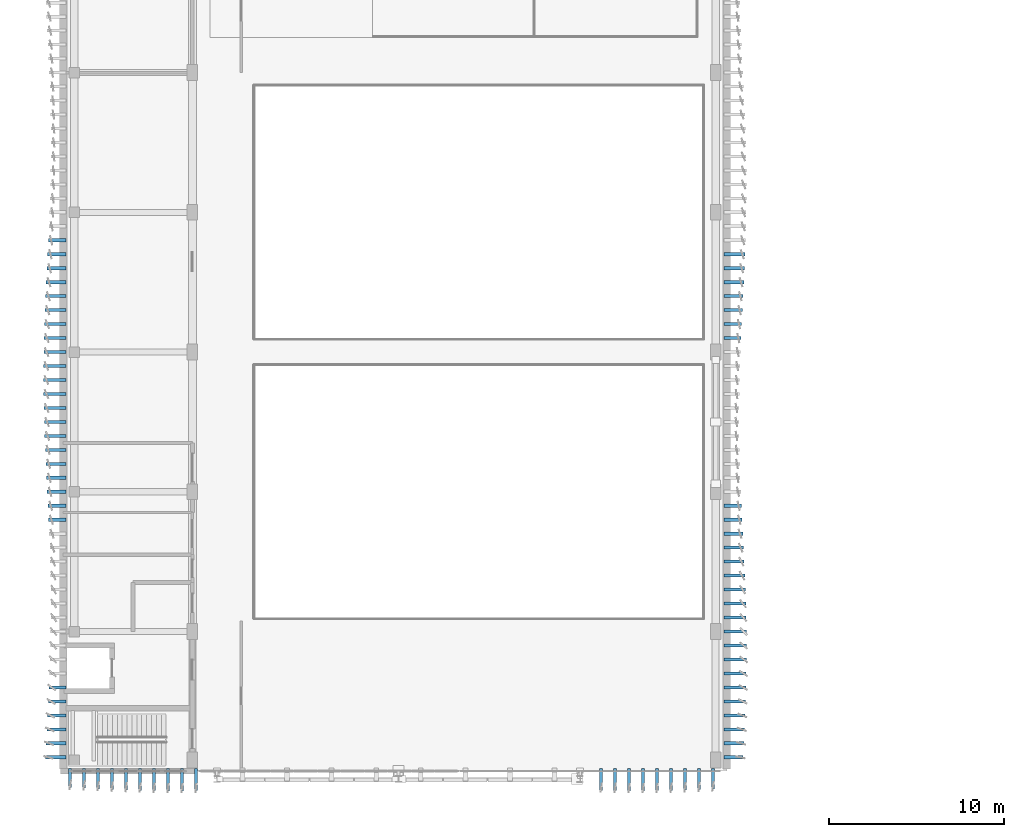
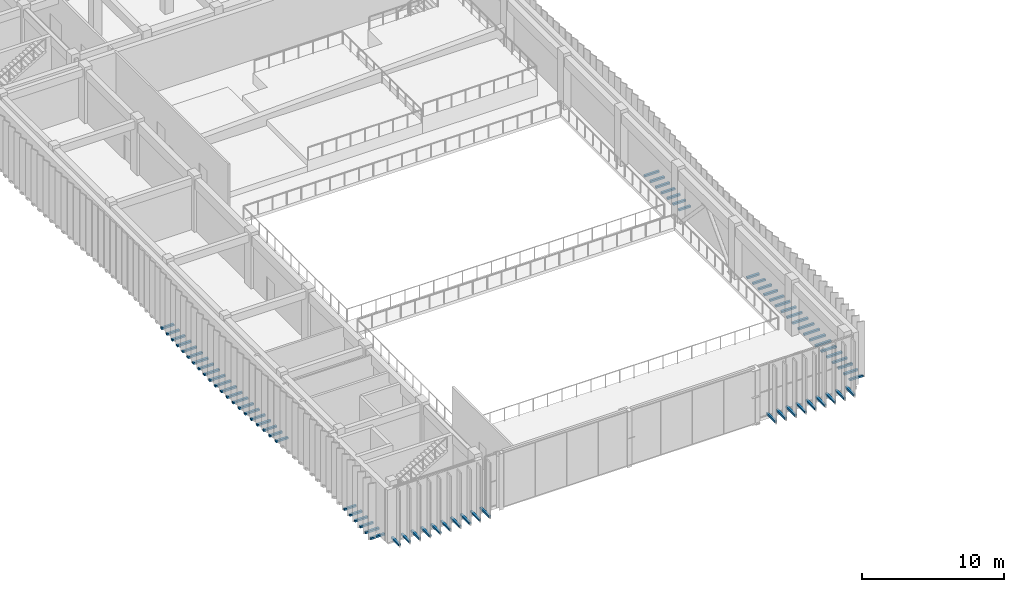
# One storey, part 47 of 64: 72 discrete accessories.
"""IFC4 building model written with IfcOpenShell, lengths in metres."""

from ifc_helpers import new_model, si_unit, direction, frame, origin, origin_2d, place, context, subcontext, project, spatial, rectangle, extrude, material, type_object, element, save


model = new_model("IFC4")

# Units and contexts
model_context = context("Model", 3, precision=1e-05, world=origin(), true_north=direction((0.0, 1.0)))
body_context = subcontext(model_context, "Body", "Model", "MODEL_VIEW")
ifc_project = project(units=[si_unit("LENGTHUNIT", "METRE"), si_unit("AREAUNIT", "SQUARE_METRE"), si_unit("VOLUMEUNIT", "CUBIC_METRE"), si_unit("PLANEANGLEUNIT", "RADIAN"), si_unit("MASSUNIT", "GRAM", prefix="KILO")], contexts=[model_context])

# Site, building, storey
site_placement = place(None, origin())
site = spatial("IfcSite", under=ifc_project, at=site_placement, CompositionType="ELEMENT")
building_placement = place(site_placement, origin())
building = spatial("IfcBuilding", under=site, at=building_placement, Name="Cinchona Park Media Centre", CompositionType="ELEMENT")
storey_placement = place(building_placement, frame((0.0, 0.0, 5.39990234375)))
storey = spatial("IfcBuildingStorey", under=building, at=storey_placement, Name="L01", CompositionType="ELEMENT", Elevation=5.39990234375)

# Discrete accessories
ifc_material = material(Name="Steel S355", Category="steel")
discrete_accessory_type = type_object("IfcDiscreteAccessoryType", Name="BRACKET-BRK01", PredefinedType="BRACKET", material=ifc_material)
discrete_accessory_1_placement = place(storey_placement, frame((7.655029296875, 38.0, 0.0400390625), z_axis=(0.0, 0.0, 1.0), x_axis=(0.0, -1.0, 0.0)))
element("IfcDiscreteAccessory", 1, at=discrete_accessory_1_placement, inside=storey, type_object=discrete_accessory_type, Name="Facade Fin Outrigger Bracket L01", PredefinedType="BRACKET", context=body_context, shape_type="SweptSolid", body=[
    extrude(rectangle(XDim=0.179931640625, YDim=1.010986328125, at=origin_2d()), origin(), (0.0, 0.0, 1.0), 0.159912109375),
])
discrete_accessory_2_placement = place(storey_placement, frame((7.635009765625, 37.199951171875, 0.0400390625), z_axis=(0.0, 0.0, 1.0), x_axis=(0.0, -1.0, 0.0)))
element("IfcDiscreteAccessory", 2, at=discrete_accessory_2_placement, inside=storey, type_object=discrete_accessory_type, Name="Facade Fin Outrigger Bracket L01", PredefinedType="BRACKET", context=body_context, shape_type="SweptSolid", body=[
    extrude(rectangle(XDim=0.179931640625, YDim=1.050048828125, at=origin_2d()), origin(), (0.0, 0.0, 1.0), 0.159912109375),
])
discrete_accessory_3_placement = place(storey_placement, frame((7.614990234375, 36.39990234375, 0.0400390625), z_axis=(0.0, 0.0, 1.0), x_axis=(0.0, -1.0, 0.0)))
element("IfcDiscreteAccessory", 3, at=discrete_accessory_3_placement, inside=storey, type_object=discrete_accessory_type, Name="Facade Fin Outrigger Bracket L01", PredefinedType="BRACKET", context=body_context, shape_type="SweptSolid", body=[
    extrude(rectangle(XDim=0.179931640625, YDim=1.090087890625, at=origin_2d()), origin(), (0.0, 0.0, 1.0), 0.159912109375),
])
discrete_accessory_4_placement = place(storey_placement, frame((7.594970703125, 35.60009765625, 0.0400390625), z_axis=(0.0, 0.0, 1.0), x_axis=(0.0, -1.0, 0.0)))
element("IfcDiscreteAccessory", 4, at=discrete_accessory_4_placement, inside=storey, type_object=discrete_accessory_type, Name="Facade Fin Outrigger Bracket L01", PredefinedType="BRACKET", context=body_context, shape_type="SweptSolid", body=[
    extrude(rectangle(XDim=0.179931640625, YDim=1.12890625, at=origin_2d()), origin(), (0.0, 0.0, 1.0), 0.159912109375),
])
discrete_accessory_5_placement = place(storey_placement, frame((7.576904296875, 34.800048828125, 0.0400390625), z_axis=(0.0, 0.0, 1.0), x_axis=(0.0, -1.0, 0.0)))
element("IfcDiscreteAccessory", 5, at=discrete_accessory_5_placement, inside=storey, type_object=discrete_accessory_type, Name="Facade Fin Outrigger Bracket L01", PredefinedType="BRACKET", context=body_context, shape_type="SweptSolid", body=[
    extrude(rectangle(XDim=0.179931640625, YDim=1.166015625, at=origin_2d()), origin(), (0.0, 0.0, 1.0), 0.159912109375),
])
discrete_accessory_6_placement = place(storey_placement, frame((7.56005859375, 34.0, 0.0400390625), z_axis=(0.0, 0.0, 1.0), x_axis=(0.0, -1.0, 0.0)))
element("IfcDiscreteAccessory", 6, at=discrete_accessory_6_placement, inside=storey, type_object=discrete_accessory_type, Name="Facade Fin Outrigger Bracket L01", PredefinedType="BRACKET", context=body_context, shape_type="SweptSolid", body=[
    extrude(rectangle(XDim=0.179931640625, YDim=1.199951171875, at=origin_2d()), origin(), (0.0, 0.0, 1.0), 0.159912109375),
])
discrete_accessory_7_placement = place(storey_placement, frame((7.5458984375, 33.199951171875, 0.0400390625), z_axis=(0.0, 0.0, 1.0), x_axis=(0.0, -1.0, 0.0)))
element("IfcDiscreteAccessory", 7, at=discrete_accessory_7_placement, inside=storey, type_object=discrete_accessory_type, Name="Facade Fin Outrigger Bracket L01", PredefinedType="BRACKET", context=body_context, shape_type="SweptSolid", body=[
    extrude(rectangle(XDim=0.179931640625, YDim=1.22900390625, at=origin_2d()), origin(), (0.0, 0.0, 1.0), 0.159912109375),
])
discrete_accessory_8_placement = place(storey_placement, frame((7.533935546875, 32.39990234375, 0.0400390625), z_axis=(0.0, 0.0, 1.0), x_axis=(0.0, -1.0, 0.0)))
element("IfcDiscreteAccessory", 8, at=discrete_accessory_8_placement, inside=storey, type_object=discrete_accessory_type, Name="Facade Fin Outrigger Bracket L01", PredefinedType="BRACKET", context=body_context, shape_type="SweptSolid", body=[
    extrude(rectangle(XDim=0.179931640625, YDim=1.251953125, at=origin_2d()), origin(), (0.0, 0.0, 1.0), 0.159912109375),
])
discrete_accessory_9_placement = place(storey_placement, frame((7.52587890625, 31.60009765625, 0.0400390625), z_axis=(0.0, 0.0, 1.0), x_axis=(0.0, -1.0, 0.0)))
element("IfcDiscreteAccessory", 9, at=discrete_accessory_9_placement, inside=storey, type_object=discrete_accessory_type, Name="Facade Fin Outrigger Bracket L01", PredefinedType="BRACKET", context=body_context, shape_type="SweptSolid", body=[
    extrude(rectangle(XDim=0.179931640625, YDim=1.26806640625, at=origin_2d()), origin(), (0.0, 0.0, 1.0), 0.159912109375),
])
discrete_accessory_10_placement = place(storey_placement, frame((7.52099609375, 30.800048828125, 0.0400390625), z_axis=(0.0, 0.0, 1.0), x_axis=(0.0, -1.0, 0.0)))
element("IfcDiscreteAccessory", 10, at=discrete_accessory_10_placement, inside=storey, type_object=discrete_accessory_type, Name="Facade Fin Outrigger Bracket L01", PredefinedType="BRACKET", context=body_context, shape_type="SweptSolid", body=[
    extrude(rectangle(XDim=0.179931640625, YDim=1.278076171875, at=origin_2d()), origin(), (0.0, 0.0, 1.0), 0.159912109375),
])
discrete_accessory_11_placement = place(storey_placement, frame((7.52001953125, 30.0, 0.0400390625), z_axis=(0.0, 0.0, 1.0), x_axis=(0.0, -1.0, 0.0)))
element("IfcDiscreteAccessory", 11, at=discrete_accessory_11_placement, inside=storey, type_object=discrete_accessory_type, Name="Facade Fin Outrigger Bracket L01", PredefinedType="BRACKET", context=body_context, shape_type="SweptSolid", body=[
    extrude(rectangle(XDim=0.179931640625, YDim=1.280029296875, at=origin_2d()), origin(), (0.0, 0.0, 1.0), 0.159912109375),
])
discrete_accessory_12_placement = place(storey_placement, frame((7.52294921875, 29.199951171875, 0.0400390625), z_axis=(0.0, 0.0, 1.0), x_axis=(0.0, -1.0, 0.0)))
element("IfcDiscreteAccessory", 12, at=discrete_accessory_12_placement, inside=storey, type_object=discrete_accessory_type, Name="Facade Fin Outrigger Bracket L01", PredefinedType="BRACKET", context=body_context, shape_type="SweptSolid", body=[
    extrude(rectangle(XDim=0.179931640625, YDim=1.27392578125, at=origin_2d()), origin(), (0.0, 0.0, 1.0), 0.159912109375),
])
discrete_accessory_13_placement = place(storey_placement, frame((7.529052734375, 28.39990234375, 0.0400390625), z_axis=(0.0, 0.0, 1.0), x_axis=(0.0, -1.0, 0.0)))
element("IfcDiscreteAccessory", 13, at=discrete_accessory_13_placement, inside=storey, type_object=discrete_accessory_type, Name="Facade Fin Outrigger Bracket L01", PredefinedType="BRACKET", context=body_context, shape_type="SweptSolid", body=[
    extrude(rectangle(XDim=0.179931640625, YDim=1.260986328125, at=origin_2d()), origin(), (0.0, 0.0, 1.0), 0.159912109375),
])
discrete_accessory_14_placement = place(storey_placement, frame((7.5390625, 27.60009765625, 0.0400390625), z_axis=(0.0, 0.0, 1.0), x_axis=(0.0, -1.0, 0.0)))
element("IfcDiscreteAccessory", 14, at=discrete_accessory_14_placement, inside=storey, type_object=discrete_accessory_type, Name="Facade Fin Outrigger Bracket L01", PredefinedType="BRACKET", context=body_context, shape_type="SweptSolid", body=[
    extrude(rectangle(XDim=0.179931640625, YDim=1.240966796875, at=origin_2d()), origin(), (0.0, 0.0, 1.0), 0.159912109375),
])
discrete_accessory_15_placement = place(storey_placement, frame((7.552978515625, 26.800048828125, 0.0400390625), z_axis=(0.0, 0.0, 1.0), x_axis=(0.0, -1.0, 0.0)))
element("IfcDiscreteAccessory", 15, at=discrete_accessory_15_placement, inside=storey, type_object=discrete_accessory_type, Name="Facade Fin Outrigger Bracket L01", PredefinedType="BRACKET", context=body_context, shape_type="SweptSolid", body=[
    extrude(rectangle(XDim=0.179931640625, YDim=1.215087890625, at=origin_2d()), origin(), (0.0, 0.0, 1.0), 0.159912109375),
])
discrete_accessory_16_placement = place(storey_placement, frame((7.568115234375, 26.0, 0.0400390625), z_axis=(0.0, 0.0, 1.0), x_axis=(0.0, -1.0, 0.0)))
element("IfcDiscreteAccessory", 16, at=discrete_accessory_16_placement, inside=storey, type_object=discrete_accessory_type, Name="Facade Fin Outrigger Bracket L01", PredefinedType="BRACKET", context=body_context, shape_type="SweptSolid", body=[
    extrude(rectangle(XDim=0.179931640625, YDim=1.18408203125, at=origin_2d()), origin(), (0.0, 0.0, 1.0), 0.159912109375),
])
discrete_accessory_17_placement = place(storey_placement, frame((7.5859375, 25.199951171875, 0.0400390625), z_axis=(0.0, 0.0, 1.0), x_axis=(0.0, -1.0, 0.0)))
element("IfcDiscreteAccessory", 17, at=discrete_accessory_17_placement, inside=storey, type_object=discrete_accessory_type, Name="Facade Fin Outrigger Bracket L01", PredefinedType="BRACKET", context=body_context, shape_type="SweptSolid", body=[
    extrude(rectangle(XDim=0.179931640625, YDim=1.14794921875, at=origin_2d()), origin(), (0.0, 0.0, 1.0), 0.159912109375),
])
discrete_accessory_18_placement = place(storey_placement, frame((7.60498046875, 24.39990234375, 0.0400390625), z_axis=(0.0, 0.0, 1.0), x_axis=(0.0, -1.0, 0.0)))
element("IfcDiscreteAccessory", 18, at=discrete_accessory_18_placement, inside=storey, type_object=discrete_accessory_type, Name="Facade Fin Outrigger Bracket L01", PredefinedType="BRACKET", context=body_context, shape_type="SweptSolid", body=[
    extrude(rectangle(XDim=0.179931640625, YDim=1.110107421875, at=origin_2d()), origin(), (0.0, 0.0, 1.0), 0.159912109375),
])
discrete_accessory_19_placement = place(storey_placement, frame((7.625, 23.60009765625, 0.0400390625), z_axis=(0.0, 0.0, 1.0), x_axis=(0.0, -1.0, 0.0)))
element("IfcDiscreteAccessory", 19, at=discrete_accessory_19_placement, inside=storey, type_object=discrete_accessory_type, Name="Facade Fin Outrigger Bracket L01", PredefinedType="BRACKET", context=body_context, shape_type="SweptSolid", body=[
    extrude(rectangle(XDim=0.179931640625, YDim=1.070068359375, at=origin_2d()), origin(), (0.0, 0.0, 1.0), 0.159912109375),
])
discrete_accessory_20_placement = place(storey_placement, frame((7.64501953125, 22.800048828125, 0.0400390625), z_axis=(0.0, 0.0, 1.0), x_axis=(0.0, -1.0, 0.0)))
element("IfcDiscreteAccessory", 20, at=discrete_accessory_20_placement, inside=storey, type_object=discrete_accessory_type, Name="Facade Fin Outrigger Bracket L01", PredefinedType="BRACKET", context=body_context, shape_type="SweptSolid", body=[
    extrude(rectangle(XDim=0.179931640625, YDim=1.030029296875, at=origin_2d()), origin(), (0.0, 0.0, 1.0), 0.159912109375),
])
discrete_accessory_21_placement = place(storey_placement, frame((7.6640625, 22.0, 0.0400390625), z_axis=(0.0, 0.0, 1.0), x_axis=(0.0, -1.0, 0.0)))
element("IfcDiscreteAccessory", 21, at=discrete_accessory_21_placement, inside=storey, type_object=discrete_accessory_type, Name="Facade Fin Outrigger Bracket L01", PredefinedType="BRACKET", context=body_context, shape_type="SweptSolid", body=[
    extrude(rectangle(XDim=0.179931640625, YDim=0.991943359375, at=origin_2d()), origin(), (0.0, 0.0, 1.0), 0.159912109375),
])
discrete_accessory_22_placement = place(storey_placement, frame((7.673095703125, 12.39990234375, 0.0400390625), z_axis=(0.0, 0.0, 1.0), x_axis=(0.0, -1.0, 0.0)))
element("IfcDiscreteAccessory", 22, at=discrete_accessory_22_placement, inside=storey, type_object=discrete_accessory_type, Name="Facade Fin Outrigger Bracket L01", PredefinedType="BRACKET", context=body_context, shape_type="SweptSolid", body=[
    extrude(rectangle(XDim=0.179931640625, YDim=0.97412109375, at=origin_2d()), origin(), (0.0, 0.0, 1.0), 0.159912109375),
])
discrete_accessory_23_placement = place(storey_placement, frame((7.655029296875, 11.60009765625, 0.0400390625), z_axis=(0.0, 0.0, 1.0), x_axis=(0.0, -1.0, 0.0)))
element("IfcDiscreteAccessory", 23, at=discrete_accessory_23_placement, inside=storey, type_object=discrete_accessory_type, Name="Facade Fin Outrigger Bracket L01", PredefinedType="BRACKET", context=body_context, shape_type="SweptSolid", body=[
    extrude(rectangle(XDim=0.179931640625, YDim=1.010986328125, at=origin_2d()), origin(), (0.0, 0.0, 1.0), 0.159912109375),
])
discrete_accessory_24_placement = place(storey_placement, frame((7.635009765625, 10.800048828125, 0.0400390625), z_axis=(0.0, 0.0, 1.0), x_axis=(0.0, -1.0, 0.0)))
element("IfcDiscreteAccessory", 24, at=discrete_accessory_24_placement, inside=storey, type_object=discrete_accessory_type, Name="Facade Fin Outrigger Bracket L01", PredefinedType="BRACKET", context=body_context, shape_type="SweptSolid", body=[
    extrude(rectangle(XDim=0.179931640625, YDim=1.050048828125, at=origin_2d()), origin(), (0.0, 0.0, 1.0), 0.159912109375),
])
discrete_accessory_25_placement = place(storey_placement, frame((7.614990234375, 10.0, 0.0400390625), z_axis=(0.0, 0.0, 1.0), x_axis=(0.0, -1.0, 0.0)))
element("IfcDiscreteAccessory", 25, at=discrete_accessory_25_placement, inside=storey, type_object=discrete_accessory_type, Name="Facade Fin Outrigger Bracket L01", PredefinedType="BRACKET", context=body_context, shape_type="SweptSolid", body=[
    extrude(rectangle(XDim=0.179931640625, YDim=1.090087890625, at=origin_2d()), origin(), (0.0, 0.0, 1.0), 0.159912109375),
])
discrete_accessory_26_placement = place(storey_placement, frame((7.594970703125, 9.199951171875, 0.0400390625), z_axis=(0.0, 0.0, 1.0), x_axis=(0.0, -1.0, 0.0)))
element("IfcDiscreteAccessory", 26, at=discrete_accessory_26_placement, inside=storey, type_object=discrete_accessory_type, Name="Facade Fin Outrigger Bracket L01", PredefinedType="BRACKET", context=body_context, shape_type="SweptSolid", body=[
    extrude(rectangle(XDim=0.179931640625, YDim=1.12890625, at=origin_2d()), origin(), (0.0, 0.0, 1.0), 0.159912109375),
])
discrete_accessory_27_placement = place(storey_placement, frame((7.576904296875, 8.39990234375, 0.0400390625), z_axis=(0.0, 0.0, 1.0), x_axis=(0.0, -1.0, 0.0)))
element("IfcDiscreteAccessory", 27, at=discrete_accessory_27_placement, inside=storey, type_object=discrete_accessory_type, Name="Facade Fin Outrigger Bracket L01", PredefinedType="BRACKET", context=body_context, shape_type="SweptSolid", body=[
    extrude(rectangle(XDim=0.179931640625, YDim=1.166015625, at=origin_2d()), origin(), (0.0, 0.0, 1.0), 0.159912109375),
])
discrete_accessory_28_placement = place(storey_placement, frame((8.39990234375, 7.215087890625, 0.0400390625), z_axis=(0.0, 0.0, 1.0), x_axis=(1.0, 0.0, 0.0)))
element("IfcDiscreteAccessory", 28, at=discrete_accessory_28_placement, inside=storey, type_object=discrete_accessory_type, Name="Facade Fin Outrigger Bracket L01", PredefinedType="BRACKET", context=body_context, shape_type="SweptSolid", body=[
    extrude(rectangle(XDim=0.179931640625, YDim=1.090087890625, at=origin_2d()), origin(), (0.0, 0.0, 1.0), 0.159912109375),
])
discrete_accessory_29_placement = place(storey_placement, frame((9.199951171875, 7.195068359375, 0.0400390625), z_axis=(0.0, 0.0, 1.0), x_axis=(1.0, 0.0, 0.0)))
element("IfcDiscreteAccessory", 29, at=discrete_accessory_29_placement, inside=storey, type_object=discrete_accessory_type, Name="Facade Fin Outrigger Bracket L01", PredefinedType="BRACKET", context=body_context, shape_type="SweptSolid", body=[
    extrude(rectangle(XDim=0.179931640625, YDim=1.12890625, at=origin_2d()), origin(), (0.0, 0.0, 1.0), 0.159912109375),
])
discrete_accessory_30_placement = place(storey_placement, frame((10.0, 7.177001953125, 0.0400390625), z_axis=(0.0, 0.0, 1.0), x_axis=(1.0, 0.0, 0.0)))
element("IfcDiscreteAccessory", 30, at=discrete_accessory_30_placement, inside=storey, type_object=discrete_accessory_type, Name="Facade Fin Outrigger Bracket L01", PredefinedType="BRACKET", context=body_context, shape_type="SweptSolid", body=[
    extrude(rectangle(XDim=0.179931640625, YDim=1.166015625, at=origin_2d()), origin(), (0.0, 0.0, 1.0), 0.159912109375),
])
discrete_accessory_31_placement = place(storey_placement, frame((10.800048828125, 7.159912109375, 0.0400390625), z_axis=(0.0, 0.0, 1.0), x_axis=(1.0, 0.0, 0.0)))
element("IfcDiscreteAccessory", 31, at=discrete_accessory_31_placement, inside=storey, type_object=discrete_accessory_type, Name="Facade Fin Outrigger Bracket L01", PredefinedType="BRACKET", context=body_context, shape_type="SweptSolid", body=[
    extrude(rectangle(XDim=0.179931640625, YDim=1.199951171875, at=origin_2d()), origin(), (0.0, 0.0, 1.0), 0.159912109375),
])
discrete_accessory_32_placement = place(storey_placement, frame((11.60009765625, 7.14599609375, 0.0400390625), z_axis=(0.0, 0.0, 1.0), x_axis=(1.0, 0.0, 0.0)))
element("IfcDiscreteAccessory", 32, at=discrete_accessory_32_placement, inside=storey, type_object=discrete_accessory_type, Name="Facade Fin Outrigger Bracket L01", PredefinedType="BRACKET", context=body_context, shape_type="SweptSolid", body=[
    extrude(rectangle(XDim=0.179931640625, YDim=1.22900390625, at=origin_2d()), origin(), (0.0, 0.0, 1.0), 0.159912109375),
])
discrete_accessory_33_placement = place(storey_placement, frame((12.39990234375, 7.134033203125, 0.0400390625), z_axis=(0.0, 0.0, 1.0), x_axis=(1.0, 0.0, 0.0)))
element("IfcDiscreteAccessory", 33, at=discrete_accessory_33_placement, inside=storey, type_object=discrete_accessory_type, Name="Facade Fin Outrigger Bracket L01", PredefinedType="BRACKET", context=body_context, shape_type="SweptSolid", body=[
    extrude(rectangle(XDim=0.179931640625, YDim=1.251953125, at=origin_2d()), origin(), (0.0, 0.0, 1.0), 0.159912109375),
])
discrete_accessory_34_placement = place(storey_placement, frame((13.199951171875, 7.1259765625, 0.0400390625), z_axis=(0.0, 0.0, 1.0), x_axis=(1.0, 0.0, 0.0)))
element("IfcDiscreteAccessory", 34, at=discrete_accessory_34_placement, inside=storey, type_object=discrete_accessory_type, Name="Facade Fin Outrigger Bracket L01", PredefinedType="BRACKET", context=body_context, shape_type="SweptSolid", body=[
    extrude(rectangle(XDim=0.179931640625, YDim=1.26806640625, at=origin_2d()), origin(), (0.0, 0.0, 1.0), 0.159912109375),
])
discrete_accessory_35_placement = place(storey_placement, frame((14.0, 7.12109375, 0.0400390625), z_axis=(0.0, 0.0, 1.0), x_axis=(1.0, 0.0, 0.0)))
element("IfcDiscreteAccessory", 35, at=discrete_accessory_35_placement, inside=storey, type_object=discrete_accessory_type, Name="Facade Fin Outrigger Bracket L01", PredefinedType="BRACKET", context=body_context, shape_type="SweptSolid", body=[
    extrude(rectangle(XDim=0.179931640625, YDim=1.278076171875, at=origin_2d()), origin(), (0.0, 0.0, 1.0), 0.159912109375),
])
discrete_accessory_36_placement = place(storey_placement, frame((14.800048828125, 7.1201171875, 0.0400390625), z_axis=(0.0, 0.0, 1.0), x_axis=(1.0, 0.0, 0.0)))
element("IfcDiscreteAccessory", 36, at=discrete_accessory_36_placement, inside=storey, type_object=discrete_accessory_type, Name="Facade Fin Outrigger Bracket L01", PredefinedType="BRACKET", context=body_context, shape_type="SweptSolid", body=[
    extrude(rectangle(XDim=0.179931640625, YDim=1.280029296875, at=origin_2d()), origin(), (0.0, 0.0, 1.0), 0.159912109375),
])
discrete_accessory_37_placement = place(storey_placement, frame((15.60009765625, 7.123046875, 0.0400390625), z_axis=(0.0, 0.0, 1.0), x_axis=(1.0, 0.0, 0.0)))
element("IfcDiscreteAccessory", 37, at=discrete_accessory_37_placement, inside=storey, type_object=discrete_accessory_type, Name="Facade Fin Outrigger Bracket L01", PredefinedType="BRACKET", context=body_context, shape_type="SweptSolid", body=[
    extrude(rectangle(XDim=0.179931640625, YDim=1.27392578125, at=origin_2d()), origin(), (0.0, 0.0, 1.0), 0.159912109375),
])
discrete_accessory_38_placement = place(storey_placement, frame((38.800048828125, 7.134033203125, 0.0400390625), z_axis=(0.0, 0.0, 1.0), x_axis=(1.0, 0.0, 0.0)))
element("IfcDiscreteAccessory", 38, at=discrete_accessory_38_placement, inside=storey, type_object=discrete_accessory_type, Name="Facade Fin Outrigger Bracket L01", PredefinedType="BRACKET", context=body_context, shape_type="SweptSolid", body=[
    extrude(rectangle(XDim=0.179931640625, YDim=1.251953125, at=origin_2d()), origin(), (0.0, 0.0, 1.0), 0.159912109375),
])
discrete_accessory_39_placement = place(storey_placement, frame((39.60009765625, 7.1259765625, 0.0400390625), z_axis=(0.0, 0.0, 1.0), x_axis=(1.0, 0.0, 0.0)))
element("IfcDiscreteAccessory", 39, at=discrete_accessory_39_placement, inside=storey, type_object=discrete_accessory_type, Name="Facade Fin Outrigger Bracket L01", PredefinedType="BRACKET", context=body_context, shape_type="SweptSolid", body=[
    extrude(rectangle(XDim=0.179931640625, YDim=1.26806640625, at=origin_2d()), origin(), (0.0, 0.0, 1.0), 0.159912109375),
])
discrete_accessory_40_placement = place(storey_placement, frame((40.39990234375, 7.12109375, 0.0400390625), z_axis=(0.0, 0.0, 1.0), x_axis=(1.0, 0.0, 0.0)))
element("IfcDiscreteAccessory", 40, at=discrete_accessory_40_placement, inside=storey, type_object=discrete_accessory_type, Name="Facade Fin Outrigger Bracket L01", PredefinedType="BRACKET", context=body_context, shape_type="SweptSolid", body=[
    extrude(rectangle(XDim=0.179931640625, YDim=1.278076171875, at=origin_2d()), origin(), (0.0, 0.0, 1.0), 0.159912109375),
])
discrete_accessory_41_placement = place(storey_placement, frame((41.199951171875, 7.1201171875, 0.0400390625), z_axis=(0.0, 0.0, 1.0), x_axis=(1.0, 0.0, 0.0)))
element("IfcDiscreteAccessory", 41, at=discrete_accessory_41_placement, inside=storey, type_object=discrete_accessory_type, Name="Facade Fin Outrigger Bracket L01", PredefinedType="BRACKET", context=body_context, shape_type="SweptSolid", body=[
    extrude(rectangle(XDim=0.179931640625, YDim=1.280029296875, at=origin_2d()), origin(), (0.0, 0.0, 1.0), 0.159912109375),
])
discrete_accessory_42_placement = place(storey_placement, frame((42.0, 7.123046875, 0.0400390625), z_axis=(0.0, 0.0, 1.0), x_axis=(1.0, 0.0, 0.0)))
element("IfcDiscreteAccessory", 42, at=discrete_accessory_42_placement, inside=storey, type_object=discrete_accessory_type, Name="Facade Fin Outrigger Bracket L01", PredefinedType="BRACKET", context=body_context, shape_type="SweptSolid", body=[
    extrude(rectangle(XDim=0.179931640625, YDim=1.27392578125, at=origin_2d()), origin(), (0.0, 0.0, 1.0), 0.159912109375),
])
discrete_accessory_43_placement = place(storey_placement, frame((42.800048828125, 7.12890625, 0.0400390625), z_axis=(0.0, 0.0, 1.0), x_axis=(1.0, 0.0, 0.0)))
element("IfcDiscreteAccessory", 43, at=discrete_accessory_43_placement, inside=storey, type_object=discrete_accessory_type, Name="Facade Fin Outrigger Bracket L01", PredefinedType="BRACKET", context=body_context, shape_type="SweptSolid", body=[
    extrude(rectangle(XDim=0.179931640625, YDim=1.260986328125, at=origin_2d()), origin(), (0.0, 0.0, 1.0), 0.159912109375),
])
discrete_accessory_44_placement = place(storey_placement, frame((43.60009765625, 7.138916015625, 0.0400390625), z_axis=(0.0, 0.0, 1.0), x_axis=(1.0, 0.0, 0.0)))
element("IfcDiscreteAccessory", 44, at=discrete_accessory_44_placement, inside=storey, type_object=discrete_accessory_type, Name="Facade Fin Outrigger Bracket L01", PredefinedType="BRACKET", context=body_context, shape_type="SweptSolid", body=[
    extrude(rectangle(XDim=0.179931640625, YDim=1.240966796875, at=origin_2d()), origin(), (0.0, 0.0, 1.0), 0.159912109375),
])
discrete_accessory_45_placement = place(storey_placement, frame((44.39990234375, 7.153076171875, 0.0400390625), z_axis=(0.0, 0.0, 1.0), x_axis=(1.0, 0.0, 0.0)))
element("IfcDiscreteAccessory", 45, at=discrete_accessory_45_placement, inside=storey, type_object=discrete_accessory_type, Name="Facade Fin Outrigger Bracket L01", PredefinedType="BRACKET", context=body_context, shape_type="SweptSolid", body=[
    extrude(rectangle(XDim=0.179931640625, YDim=1.215087890625, at=origin_2d()), origin(), (0.0, 0.0, 1.0), 0.159912109375),
])
discrete_accessory_46_placement = place(storey_placement, frame((45.199951171875, 7.16796875, 0.0400390625), z_axis=(0.0, 0.0, 1.0), x_axis=(1.0, 0.0, 0.0)))
element("IfcDiscreteAccessory", 46, at=discrete_accessory_46_placement, inside=storey, type_object=discrete_accessory_type, Name="Facade Fin Outrigger Bracket L01", PredefinedType="BRACKET", context=body_context, shape_type="SweptSolid", body=[
    extrude(rectangle(XDim=0.179931640625, YDim=1.18408203125, at=origin_2d()), origin(), (0.0, 0.0, 1.0), 0.159912109375),
])
discrete_accessory_47_placement = place(storey_placement, frame((46.385009765625, 8.39990234375, 0.0400390625), z_axis=(0.0, 0.0, 1.0), x_axis=(0.0, 1.0, 0.0)))
element("IfcDiscreteAccessory", 47, at=discrete_accessory_47_placement, inside=storey, type_object=discrete_accessory_type, Name="Facade Fin Outrigger Bracket L01", PredefinedType="BRACKET", context=body_context, shape_type="SweptSolid", body=[
    extrude(rectangle(XDim=0.179931640625, YDim=1.090087890625, at=origin_2d()), origin(), (0.0, 0.0, 1.0), 0.159912109375),
])
discrete_accessory_48_placement = place(storey_placement, frame((46.405029296875, 9.199951171875, 0.0400390625), z_axis=(0.0, 0.0, 1.0), x_axis=(0.0, 1.0, 0.0)))
element("IfcDiscreteAccessory", 48, at=discrete_accessory_48_placement, inside=storey, type_object=discrete_accessory_type, Name="Facade Fin Outrigger Bracket L01", PredefinedType="BRACKET", context=body_context, shape_type="SweptSolid", body=[
    extrude(rectangle(XDim=0.179931640625, YDim=1.12890625, at=origin_2d()), origin(), (0.0, 0.0, 1.0), 0.159912109375),
])
discrete_accessory_49_placement = place(storey_placement, frame((46.423095703125, 10.0, 0.0400390625), z_axis=(0.0, 0.0, 1.0), x_axis=(0.0, 1.0, 0.0)))
element("IfcDiscreteAccessory", 49, at=discrete_accessory_49_placement, inside=storey, type_object=discrete_accessory_type, Name="Facade Fin Outrigger Bracket L01", PredefinedType="BRACKET", context=body_context, shape_type="SweptSolid", body=[
    extrude(rectangle(XDim=0.179931640625, YDim=1.166015625, at=origin_2d()), origin(), (0.0, 0.0, 1.0), 0.159912109375),
])
discrete_accessory_50_placement = place(storey_placement, frame((46.43994140625, 10.800048828125, 0.0400390625), z_axis=(0.0, 0.0, 1.0), x_axis=(0.0, 1.0, 0.0)))
element("IfcDiscreteAccessory", 50, at=discrete_accessory_50_placement, inside=storey, type_object=discrete_accessory_type, Name="Facade Fin Outrigger Bracket L01", PredefinedType="BRACKET", context=body_context, shape_type="SweptSolid", body=[
    extrude(rectangle(XDim=0.179931640625, YDim=1.199951171875, at=origin_2d()), origin(), (0.0, 0.0, 1.0), 0.159912109375),
])
discrete_accessory_51_placement = place(storey_placement, frame((46.4541015625, 11.60009765625, 0.0400390625), z_axis=(0.0, 0.0, 1.0), x_axis=(0.0, 1.0, 0.0)))
element("IfcDiscreteAccessory", 51, at=discrete_accessory_51_placement, inside=storey, type_object=discrete_accessory_type, Name="Facade Fin Outrigger Bracket L01", PredefinedType="BRACKET", context=body_context, shape_type="SweptSolid", body=[
    extrude(rectangle(XDim=0.179931640625, YDim=1.22900390625, at=origin_2d()), origin(), (0.0, 0.0, 1.0), 0.159912109375),
])
discrete_accessory_52_placement = place(storey_placement, frame((46.466064453125, 12.39990234375, 0.0400390625), z_axis=(0.0, 0.0, 1.0), x_axis=(0.0, 1.0, 0.0)))
element("IfcDiscreteAccessory", 52, at=discrete_accessory_52_placement, inside=storey, type_object=discrete_accessory_type, Name="Facade Fin Outrigger Bracket L01", PredefinedType="BRACKET", context=body_context, shape_type="SweptSolid", body=[
    extrude(rectangle(XDim=0.179931640625, YDim=1.251953125, at=origin_2d()), origin(), (0.0, 0.0, 1.0), 0.159912109375),
])
discrete_accessory_53_placement = place(storey_placement, frame((46.47412109375, 13.199951171875, 0.0400390625), z_axis=(0.0, 0.0, 1.0), x_axis=(0.0, 1.0, 0.0)))
element("IfcDiscreteAccessory", 53, at=discrete_accessory_53_placement, inside=storey, type_object=discrete_accessory_type, Name="Facade Fin Outrigger Bracket L01", PredefinedType="BRACKET", context=body_context, shape_type="SweptSolid", body=[
    extrude(rectangle(XDim=0.179931640625, YDim=1.26806640625, at=origin_2d()), origin(), (0.0, 0.0, 1.0), 0.159912109375),
])
discrete_accessory_54_placement = place(storey_placement, frame((46.47900390625, 14.0, 0.0400390625), z_axis=(0.0, 0.0, 1.0), x_axis=(0.0, 1.0, 0.0)))
element("IfcDiscreteAccessory", 54, at=discrete_accessory_54_placement, inside=storey, type_object=discrete_accessory_type, Name="Facade Fin Outrigger Bracket L01", PredefinedType="BRACKET", context=body_context, shape_type="SweptSolid", body=[
    extrude(rectangle(XDim=0.179931640625, YDim=1.278076171875, at=origin_2d()), origin(), (0.0, 0.0, 1.0), 0.159912109375),
])
discrete_accessory_55_placement = place(storey_placement, frame((46.47998046875, 14.800048828125, 0.0400390625), z_axis=(0.0, 0.0, 1.0), x_axis=(0.0, 1.0, 0.0)))
element("IfcDiscreteAccessory", 55, at=discrete_accessory_55_placement, inside=storey, type_object=discrete_accessory_type, Name="Facade Fin Outrigger Bracket L01", PredefinedType="BRACKET", context=body_context, shape_type="SweptSolid", body=[
    extrude(rectangle(XDim=0.179931640625, YDim=1.280029296875, at=origin_2d()), origin(), (0.0, 0.0, 1.0), 0.159912109375),
])
discrete_accessory_56_placement = place(storey_placement, frame((46.47705078125, 15.60009765625, 0.0400390625), z_axis=(0.0, 0.0, 1.0), x_axis=(0.0, 1.0, 0.0)))
element("IfcDiscreteAccessory", 56, at=discrete_accessory_56_placement, inside=storey, type_object=discrete_accessory_type, Name="Facade Fin Outrigger Bracket L01", PredefinedType="BRACKET", context=body_context, shape_type="SweptSolid", body=[
    extrude(rectangle(XDim=0.179931640625, YDim=1.27392578125, at=origin_2d()), origin(), (0.0, 0.0, 1.0), 0.159912109375),
])
discrete_accessory_57_placement = place(storey_placement, frame((46.470947265625, 16.39990234375, 0.0400390625), z_axis=(0.0, 0.0, 1.0), x_axis=(0.0, 1.0, 0.0)))
element("IfcDiscreteAccessory", 57, at=discrete_accessory_57_placement, inside=storey, type_object=discrete_accessory_type, Name="Facade Fin Outrigger Bracket L01", PredefinedType="BRACKET", context=body_context, shape_type="SweptSolid", body=[
    extrude(rectangle(XDim=0.179931640625, YDim=1.260986328125, at=origin_2d()), origin(), (0.0, 0.0, 1.0), 0.159912109375),
])
discrete_accessory_58_placement = place(storey_placement, frame((46.4609375, 17.199951171875, 0.0400390625), z_axis=(0.0, 0.0, 1.0), x_axis=(0.0, 1.0, 0.0)))
element("IfcDiscreteAccessory", 58, at=discrete_accessory_58_placement, inside=storey, type_object=discrete_accessory_type, Name="Facade Fin Outrigger Bracket L01", PredefinedType="BRACKET", context=body_context, shape_type="SweptSolid", body=[
    extrude(rectangle(XDim=0.179931640625, YDim=1.240966796875, at=origin_2d()), origin(), (0.0, 0.0, 1.0), 0.159912109375),
])
discrete_accessory_59_placement = place(storey_placement, frame((46.447021484375, 18.0, 0.0400390625), z_axis=(0.0, 0.0, 1.0), x_axis=(0.0, 1.0, 0.0)))
element("IfcDiscreteAccessory", 59, at=discrete_accessory_59_placement, inside=storey, type_object=discrete_accessory_type, Name="Facade Fin Outrigger Bracket L01", PredefinedType="BRACKET", context=body_context, shape_type="SweptSolid", body=[
    extrude(rectangle(XDim=0.179931640625, YDim=1.215087890625, at=origin_2d()), origin(), (0.0, 0.0, 1.0), 0.159912109375),
])
discrete_accessory_60_placement = place(storey_placement, frame((46.431884765625, 18.800048828125, 0.0400390625), z_axis=(0.0, 0.0, 1.0), x_axis=(0.0, 1.0, 0.0)))
element("IfcDiscreteAccessory", 60, at=discrete_accessory_60_placement, inside=storey, type_object=discrete_accessory_type, Name="Facade Fin Outrigger Bracket L01", PredefinedType="BRACKET", context=body_context, shape_type="SweptSolid", body=[
    extrude(rectangle(XDim=0.179931640625, YDim=1.18408203125, at=origin_2d()), origin(), (0.0, 0.0, 1.0), 0.159912109375),
])
discrete_accessory_61_placement = place(storey_placement, frame((46.4140625, 19.60009765625, 0.0400390625), z_axis=(0.0, 0.0, 1.0), x_axis=(0.0, 1.0, 0.0)))
element("IfcDiscreteAccessory", 61, at=discrete_accessory_61_placement, inside=storey, type_object=discrete_accessory_type, Name="Facade Fin Outrigger Bracket L01", PredefinedType="BRACKET", context=body_context, shape_type="SweptSolid", body=[
    extrude(rectangle(XDim=0.179931640625, YDim=1.14794921875, at=origin_2d()), origin(), (0.0, 0.0, 1.0), 0.159912109375),
])
discrete_accessory_62_placement = place(storey_placement, frame((46.39501953125, 20.39990234375, 0.0400390625), z_axis=(0.0, 0.0, 1.0), x_axis=(0.0, 1.0, 0.0)))
element("IfcDiscreteAccessory", 62, at=discrete_accessory_62_placement, inside=storey, type_object=discrete_accessory_type, Name="Facade Fin Outrigger Bracket L01", PredefinedType="BRACKET", context=body_context, shape_type="SweptSolid", body=[
    extrude(rectangle(XDim=0.179931640625, YDim=1.110107421875, at=origin_2d()), origin(), (0.0, 0.0, 1.0), 0.159912109375),
])
discrete_accessory_63_placement = place(storey_placement, frame((46.375, 21.199951171875, 0.0400390625), z_axis=(0.0, 0.0, 1.0), x_axis=(0.0, 1.0, 0.0)))
element("IfcDiscreteAccessory", 63, at=discrete_accessory_63_placement, inside=storey, type_object=discrete_accessory_type, Name="Facade Fin Outrigger Bracket L01", PredefinedType="BRACKET", context=body_context, shape_type="SweptSolid", body=[
    extrude(rectangle(XDim=0.179931640625, YDim=1.070068359375, at=origin_2d()), origin(), (0.0, 0.0, 1.0), 0.159912109375),
])
discrete_accessory_64_placement = place(storey_placement, frame((46.35498046875, 22.0, 0.0400390625), z_axis=(0.0, 0.0, 1.0), x_axis=(0.0, 1.0, 0.0)))
element("IfcDiscreteAccessory", 64, at=discrete_accessory_64_placement, inside=storey, type_object=discrete_accessory_type, Name="Facade Fin Outrigger Bracket L01", PredefinedType="BRACKET", context=body_context, shape_type="SweptSolid", body=[
    extrude(rectangle(XDim=0.179931640625, YDim=1.030029296875, at=origin_2d()), origin(), (0.0, 0.0, 1.0), 0.159912109375),
])
discrete_accessory_65_placement = place(storey_placement, frame((46.3359375, 22.800048828125, 0.0400390625), z_axis=(0.0, 0.0, 1.0), x_axis=(0.0, 1.0, 0.0)))
element("IfcDiscreteAccessory", 65, at=discrete_accessory_65_placement, inside=storey, type_object=discrete_accessory_type, Name="Facade Fin Outrigger Bracket L01", PredefinedType="BRACKET", context=body_context, shape_type="SweptSolid", body=[
    extrude(rectangle(XDim=0.179931640625, YDim=0.991943359375, at=origin_2d()), origin(), (0.0, 0.0, 1.0), 0.159912109375),
])
discrete_accessory_66_placement = place(storey_placement, frame((46.326904296875, 32.39990234375, 0.0400390625), z_axis=(0.0, 0.0, 1.0), x_axis=(0.0, 1.0, 0.0)))
element("IfcDiscreteAccessory", 66, at=discrete_accessory_66_placement, inside=storey, type_object=discrete_accessory_type, Name="Facade Fin Outrigger Bracket L01", PredefinedType="BRACKET", context=body_context, shape_type="SweptSolid", body=[
    extrude(rectangle(XDim=0.179931640625, YDim=0.97412109375, at=origin_2d()), origin(), (0.0, 0.0, 1.0), 0.159912109375),
])
discrete_accessory_67_placement = place(storey_placement, frame((46.344970703125, 33.199951171875, 0.0400390625), z_axis=(0.0, 0.0, 1.0), x_axis=(0.0, 1.0, 0.0)))
element("IfcDiscreteAccessory", 67, at=discrete_accessory_67_placement, inside=storey, type_object=discrete_accessory_type, Name="Facade Fin Outrigger Bracket L01", PredefinedType="BRACKET", context=body_context, shape_type="SweptSolid", body=[
    extrude(rectangle(XDim=0.179931640625, YDim=1.010986328125, at=origin_2d()), origin(), (0.0, 0.0, 1.0), 0.159912109375),
])
discrete_accessory_68_placement = place(storey_placement, frame((46.364990234375, 34.0, 0.0400390625), z_axis=(0.0, 0.0, 1.0), x_axis=(0.0, 1.0, 0.0)))
element("IfcDiscreteAccessory", 68, at=discrete_accessory_68_placement, inside=storey, type_object=discrete_accessory_type, Name="Facade Fin Outrigger Bracket L01", PredefinedType="BRACKET", context=body_context, shape_type="SweptSolid", body=[
    extrude(rectangle(XDim=0.179931640625, YDim=1.050048828125, at=origin_2d()), origin(), (0.0, 0.0, 1.0), 0.159912109375),
])
discrete_accessory_69_placement = place(storey_placement, frame((46.385009765625, 34.800048828125, 0.0400390625), z_axis=(0.0, 0.0, 1.0), x_axis=(0.0, 1.0, 0.0)))
element("IfcDiscreteAccessory", 69, at=discrete_accessory_69_placement, inside=storey, type_object=discrete_accessory_type, Name="Facade Fin Outrigger Bracket L01", PredefinedType="BRACKET", context=body_context, shape_type="SweptSolid", body=[
    extrude(rectangle(XDim=0.179931640625, YDim=1.090087890625, at=origin_2d()), origin(), (0.0, 0.0, 1.0), 0.159912109375),
])
discrete_accessory_70_placement = place(storey_placement, frame((46.405029296875, 35.60009765625, 0.0400390625), z_axis=(0.0, 0.0, 1.0), x_axis=(0.0, 1.0, 0.0)))
element("IfcDiscreteAccessory", 70, at=discrete_accessory_70_placement, inside=storey, type_object=discrete_accessory_type, Name="Facade Fin Outrigger Bracket L01", PredefinedType="BRACKET", context=body_context, shape_type="SweptSolid", body=[
    extrude(rectangle(XDim=0.179931640625, YDim=1.12890625, at=origin_2d()), origin(), (0.0, 0.0, 1.0), 0.159912109375),
])
discrete_accessory_71_placement = place(storey_placement, frame((46.423095703125, 36.39990234375, 0.0400390625), z_axis=(0.0, 0.0, 1.0), x_axis=(0.0, 1.0, 0.0)))
element("IfcDiscreteAccessory", 71, at=discrete_accessory_71_placement, inside=storey, type_object=discrete_accessory_type, Name="Facade Fin Outrigger Bracket L01", PredefinedType="BRACKET", context=body_context, shape_type="SweptSolid", body=[
    extrude(rectangle(XDim=0.179931640625, YDim=1.166015625, at=origin_2d()), origin(), (0.0, 0.0, 1.0), 0.159912109375),
])
discrete_accessory_72_placement = place(storey_placement, frame((46.43994140625, 37.199951171875, 0.0400390625), z_axis=(0.0, 0.0, 1.0), x_axis=(0.0, 1.0, 0.0)))
element("IfcDiscreteAccessory", 72, at=discrete_accessory_72_placement, inside=storey, type_object=discrete_accessory_type, Name="Facade Fin Outrigger Bracket L01", PredefinedType="BRACKET", context=body_context, shape_type="SweptSolid", body=[
    extrude(rectangle(XDim=0.179931640625, YDim=1.199951171875, at=origin_2d()), origin(), (0.0, 0.0, 1.0), 0.159912109375),
])

save(model, "model.ifc")
